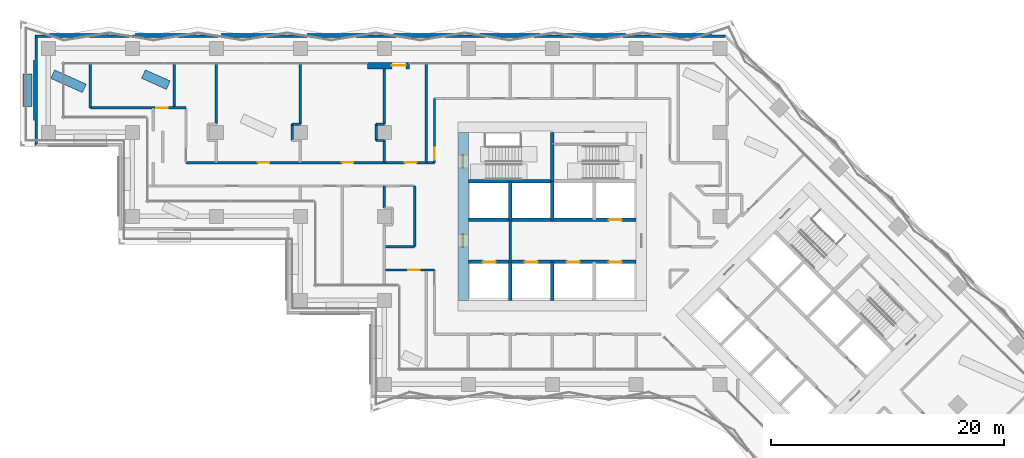
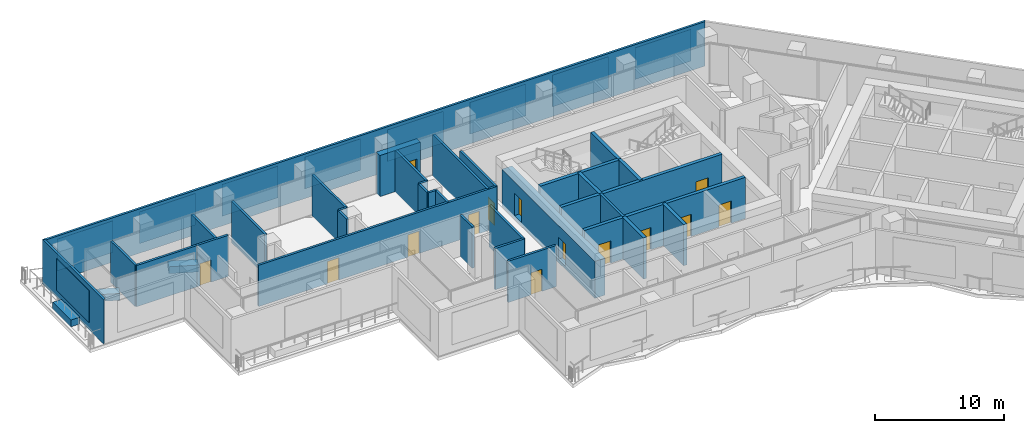
# One storey, part 14 of 24: 36 walls, 14 doors, 9 plates, 14 openings.
"""IFC4 building model written with IfcOpenShell, lengths in metres."""

from ifc_helpers import new_model, si_unit, direction, frame, frame_2d, origin, place, context, subcontext, project, spatial, polyline, rectangle, outline, extrude, material, layer, layer_set, type_object, element, fill, aggregate, save


model = new_model("IFC4")

# Units and contexts
model_context = context("Model", 3, precision=1e-05, world=origin(), true_north=direction((0.0, 1.0)))
body_context = subcontext(model_context, "Body", "Model", "MODEL_VIEW")
ifc_project = project(units=[si_unit("LENGTHUNIT", "METRE"), si_unit("AREAUNIT", "SQUARE_METRE"), si_unit("VOLUMEUNIT", "CUBIC_METRE"), si_unit("PLANEANGLEUNIT", "RADIAN"), si_unit("MASSUNIT", "GRAM", prefix="KILO")], contexts=[model_context])

# Plate
ifc_material_1 = material(Name="Aluminium louvre", Category="aluminium")
ifc_layer_1 = layer(ifc_material_1, 0.05)
ifc_layer_set_1 = layer_set([ifc_layer_1], Name="Belt louvre panel 5000x3000")
plate_type = type_object("IfcPlateType", Name="Belt louvre panel 5000x3000", PredefinedType="SHEET", material=ifc_layer_set_1)
site_placement = place(None, origin())
building_placement = place(site_placement, origin())
storey_placement = place(building_placement, frame((0.0, 0.0, 67.8)))
plate_1_placement = place(storey_placement, frame((78.4421, 73.2, 0.75), z_axis=(0.0, 1.0, 0.0), x_axis=(-1.0, 0.0, 0.0)))
plate_1 = element("IfcPlate", 1, at=plate_1_placement, type_object=plate_type, Name="Belt louvre panel L18 19.1", PredefinedType="SHEET", context=body_context, shape_type="SweptSolid", body=[
    extrude(outline(polyline([(0.0, 0.0), (5.0, 0.0), (5.0, 3.0), (0.0, 3.0), (0.0, 0.0)])), origin(), (0.0, 0.0, -1.0), 0.05),
])

plate_2_placement = place(storey_placement, frame((71.0565, 73.2, 0.75), z_axis=(0.0, 1.0, 0.0), x_axis=(-1.0, 0.0, 0.0)))
plate_2 = element("IfcPlate", 2, at=plate_2_placement, type_object=plate_type, Name="Belt louvre panel L18 20.2", PredefinedType="SHEET", context=body_context, shape_type="SweptSolid", body=[
    extrude(outline(polyline([(0.0, 0.0), (5.0, 0.0), (5.0, 3.0), (0.0, 3.0), (0.0, 0.0)])), origin(), (0.0, 0.0, -1.0), 0.05),
])

plate_3_placement = place(storey_placement, frame((63.6709, 73.2, 0.75), z_axis=(0.0, 1.0, 0.0), x_axis=(-1.0, 0.0, 0.0)))
plate_3 = element("IfcPlate", 3, at=plate_3_placement, type_object=plate_type, Name="Belt louvre panel L18 21.3", PredefinedType="SHEET", context=body_context, shape_type="SweptSolid", body=[
    extrude(outline(polyline([(0.0, 0.0), (5.0, 0.0), (5.0, 3.0), (0.0, 3.0), (0.0, 0.0)])), origin(), (0.0, 0.0, -1.0), 0.05),
])

plate_4_placement = place(storey_placement, frame((56.2852, 73.2, 0.75), z_axis=(0.0, 1.0, 0.0), x_axis=(-1.0, 0.0, 0.0)))
plate_4 = element("IfcPlate", 4, at=plate_4_placement, type_object=plate_type, Name="Belt louvre panel L18 22.4", PredefinedType="SHEET", context=body_context, shape_type="SweptSolid", body=[
    extrude(outline(polyline([(0.0, 0.0), (5.0, 0.0), (5.0, 3.0), (0.0, 3.0), (0.0, 0.0)])), origin(), (0.0, 0.0, -1.0), 0.05),
])

plate_5_placement = place(storey_placement, frame((48.8996, 73.2, 0.75), z_axis=(0.0, 1.0, 0.0), x_axis=(-1.0, 0.0, 0.0)))
plate_5 = element("IfcPlate", 5, at=plate_5_placement, type_object=plate_type, Name="Belt louvre panel L18 23.5", PredefinedType="SHEET", context=body_context, shape_type="SweptSolid", body=[
    extrude(outline(polyline([(0.0, 0.0), (5.0, 0.0), (5.0, 3.0), (0.0, 3.0), (0.0, 0.0)])), origin(), (0.0, 0.0, -1.0), 0.05),
])

plate_6_placement = place(storey_placement, frame((41.514, 73.2, 0.75), z_axis=(0.0, 1.0, 0.0), x_axis=(-1.0, 0.0, 0.0)))
plate_6 = element("IfcPlate", 6, at=plate_6_placement, type_object=plate_type, Name="Belt louvre panel L18 24.6", PredefinedType="SHEET", context=body_context, shape_type="SweptSolid", body=[
    extrude(outline(polyline([(0.0, 0.0), (5.0, 0.0), (5.0, 3.0), (0.0, 3.0), (0.0, 0.0)])), origin(), (0.0, 0.0, -1.0), 0.05),
])

plate_7_placement = place(storey_placement, frame((34.1284, 73.2, 0.75), z_axis=(0.0, 1.0, 0.0), x_axis=(-1.0, 0.0, 0.0)))
plate_7 = element("IfcPlate", 7, at=plate_7_placement, type_object=plate_type, Name="Belt louvre panel L18 25.7", PredefinedType="SHEET", context=body_context, shape_type="SweptSolid", body=[
    extrude(outline(polyline([(0.0, 0.0), (5.0, 0.0), (5.0, 3.0), (0.0, 3.0), (0.0, 0.0)])), origin(), (0.0, 0.0, -1.0), 0.05),
])

plate_8_placement = place(storey_placement, frame((26.7428, 73.2, 0.75), z_axis=(0.0, 1.0, 0.0), x_axis=(-1.0, 0.0, 0.0)))
plate_8 = element("IfcPlate", 8, at=plate_8_placement, type_object=plate_type, Name="Belt louvre panel L18 26.8", PredefinedType="SHEET", context=body_context, shape_type="SweptSolid", body=[
    extrude(outline(polyline([(0.0, 0.0), (5.0, 0.0), (5.0, 3.0), (0.0, 3.0), (0.0, 0.0)])), origin(), (0.0, 0.0, -1.0), 0.05),
])

plate_9_placement = place(storey_placement, frame((20.4, 70.9, 0.75), z_axis=(-1.0, 0.0, 0.0), x_axis=(0.0, -1.0, 0.0)))
plate_9 = element("IfcPlate", 9, at=plate_9_placement, type_object=plate_type, Name="Belt louvre panel L18 37.1", PredefinedType="SHEET", context=body_context, shape_type="SweptSolid", body=[
    extrude(outline(polyline([(0.0, 0.0), (5.0, 0.0), (5.0, 3.0), (0.0, 3.0), (0.0, 0.0)])), origin(), (0.0, 0.0, -1.0), 0.05),
])

# Site, building, storey
site = spatial("IfcSite", under=ifc_project, at=site_placement, CompositionType="ELEMENT")
building = spatial("IfcBuilding", under=site, at=building_placement, Name="Windrow Commons", CompositionType="ELEMENT")
storey = spatial("IfcBuildingStorey", under=building, at=storey_placement, Name="L18", CompositionType="ELEMENT", Elevation=67.8)

# Wall
ifc_material_2 = material(Name="Concrete C40/50 precast screen panel", Category="concrete")
ifc_layer_2 = layer(ifc_material_2, 0.2)
ifc_layer_set_2 = layer_set([ifc_layer_2], Name="Belt screen wall 200")
wall_type_1 = type_object("IfcWallType", Name="Belt screen wall 200", PredefinedType="SOLIDWALL", material=ifc_layer_set_2)
wall_1_placement = place(storey_placement, frame((79.6349, 73.05, 0.0), z_axis=(0.0, 0.0, 1.0), x_axis=(-1.0, 0.0, 0.0)))
wall_1 = element("IfcWall", 10, at=wall_1_placement, inside=storey, type_object=wall_type_1, Name="Belt screen wall L18 19", PredefinedType="SOLIDWALL", context=body_context, shape_type="SweptSolid", body=[
    extrude(outline(polyline([(-0.0414, -0.1), (59.1849, -0.1), (58.9849, 0.1), (0.0414, 0.1), (-0.0414, -0.1)])), origin(), (0.0, 0.0, 1.0), 4.2),
])

aggregate(wall_1, [plate_1, plate_2, plate_3, plate_4, plate_5, plate_6, plate_7, plate_8])

wall_2_placement = place(storey_placement, frame((20.55, 73.05, 0.0), z_axis=(0.0, 0.0, 1.0), x_axis=(0.0, -1.0, 0.0)))
wall_2 = element("IfcWall", 11, at=wall_2_placement, inside=storey, type_object=wall_type_1, Name="Belt screen wall L18 37", PredefinedType="SOLIDWALL", context=body_context, shape_type="SweptSolid", body=[
    extrude(outline(polyline([(-0.1, -0.1), (9.4, -0.1), (9.2, 0.1), (0.1, 0.1), (-0.1, -0.1)])), origin(), (0.0, 0.0, 1.0), 4.2),
])

aggregate(wall_2, [plate_9])

# Wall, opening, door
ifc_material_3 = material(Name="Brick masonry, red clay brick", Category="masonry")
ifc_layer_3 = layer(ifc_material_3, 0.55)
ifc_layer_set_3 = layer_set([ifc_layer_3], Name="Brick facade wall 550")
wall_type_2 = type_object("IfcWallType", Name="Brick facade wall 550", PredefinedType="SOLIDWALL", material=ifc_layer_set_3)
wall_3_placement = place(storey_placement, frame((52.5519, 70.525, 0.0), z_axis=(0.0, 0.0, 1.0), x_axis=(-1.0, 0.0, 0.0)))
wall_3 = element("IfcWall", 12, at=wall_3_placement, inside=storey, type_object=wall_type_2, Name="Brick facade wall L18 door pier 4", PredefinedType="SOLIDWALL", context=body_context, shape_type="SweptSolid", body=[
    extrude(rectangle(XDim=3.6, YDim=0.55, at=frame_2d((1.8, 0.0))), origin(), (0.0, 0.0, 1.0), 3.9),
])
opening_1_placement = place(wall_3_placement, frame((0.3, 0.0, 0.0)))
opening_1 = element("IfcOpeningElement", 13, at=opening_1_placement, cuts=wall_3, Name="Opening TD7", PredefinedType="OPENING", context=body_context, shape_type="SweptSolid", body=[
    extrude(rectangle(XDim=1.2, YDim=2.4, at=frame_2d((0.6, 1.2))), frame((0.0, 0.285, 0.0), z_axis=(0.0, -1.0, 0.0), x_axis=(1.0, 0.0, 0.0)), (0.0, 0.0, 1.0), 0.57),
])
ifc_material_4 = material(Name="Aluminium 6063-T6 anodised frame with clear glass", Category="aluminium")
door_type_1 = type_object("IfcDoorType", Name="Terrace door TD7 1200x2400", OperationType="SINGLE_SWING_LEFT", PredefinedType="DOOR", material=ifc_material_4)
door_1_placement = place(opening_1_placement, origin())
door_1 = element("IfcDoor", 14, at=door_1_placement, inside=storey, type_object=door_type_1, Name="Terrace door L18 4.1", OperationType="SINGLE_SWING_LEFT", OverallHeight=2.4, OverallWidth=1.2, PredefinedType="DOOR", context=body_context, shape_type="SweptSolid", body=[
    extrude(rectangle(XDim=1.2, YDim=2.4, at=frame_2d((0.6, 1.2))), frame((0.0, 0.025, 0.0), z_axis=(0.0, -1.0, 0.0), x_axis=(1.0, 0.0, 0.0)), (0.0, 0.0, 1.0), 0.05),
])
fill(opening_1, door_1)

# Wall
ifc_material_5 = material(Name="Blockwork partition", Category="masonry")
ifc_layer_4 = layer(ifc_material_5, 0.2)
ifc_layer_set_4 = layer_set([ifc_layer_4], Name="Fire lobby partition 200")
wall_type_3 = type_object("IfcWallType", Name="Fire lobby partition 200", PredefinedType="PARTITIONING", material=ifc_layer_set_4)
wall_4_placement = place(storey_placement, frame((61.2, 53.7, 0.0), z_axis=(0.0, 0.0, 1.0), x_axis=(0.0, 1.0, 0.0)))
element("IfcWall", 15, at=wall_4_placement, inside=storey, type_object=wall_type_3, Name="W-core-lobby-A-L18", PredefinedType="PARTITIONING", context=body_context, shape_type="SweptSolid", body=[
    extrude(rectangle(XDim=3.6, YDim=0.2, at=frame_2d((1.8, 0.0))), origin(), (0.0, 0.0, 1.0), 3.9),
])

# Wall, openings, doors
ifc_material_6 = material(Name="Blockwork partition", Category="masonry")
ifc_layer_5 = layer(ifc_material_6, 0.2)
ifc_layer_set_5 = layer_set([ifc_layer_5], Name="IW-CORRIDOR-200")
wall_type_4 = type_object("IfcWallType", Name="IW-CORRIDOR-200", PredefinedType="PARTITIONING", material=ifc_layer_set_5)
wall_5_placement = place(storey_placement, frame((33.4, 62.2, 0.0), z_axis=(0.0, 0.0, 1.0), x_axis=(1.0, 0.0, 0.0)))
wall_5 = element("IfcWall", 16, at=wall_5_placement, inside=storey, type_object=wall_type_4, Name="W-L18-W001", PredefinedType="PARTITIONING", context=body_context, shape_type="SweptSolid", body=[
    extrude(rectangle(XDim=21.3, YDim=0.2, at=frame_2d((10.65, 0.0))), origin(), (0.0, 0.0, 1.0), 3.9),
])
opening_2_placement = place(wall_5_placement, frame((6.1575, 0.0, 0.0)))
opening_2 = element("IfcOpeningElement", 17, at=opening_2_placement, cuts=wall_5, Name="Opening D310F", PredefinedType="OPENING", context=body_context, shape_type="SweptSolid", body=[
    extrude(rectangle(XDim=1.0, YDim=2.1, at=frame_2d((0.5, 1.05))), frame((0.0, 0.11, 0.0), z_axis=(0.0, -1.0, 0.0), x_axis=(1.0, 0.0, 0.0)), (0.0, 0.0, 1.0), 0.22),
])
opening_3_placement = place(wall_5_placement, frame((13.3575, 0.0, 0.0)))
opening_3 = element("IfcOpeningElement", 18, at=opening_3_placement, cuts=wall_5, Name="Opening D310F", PredefinedType="OPENING", context=body_context, shape_type="SweptSolid", body=[
    extrude(rectangle(XDim=1.0, YDim=2.1, at=frame_2d((0.5, 1.05))), frame((0.0, 0.11, 0.0), z_axis=(0.0, -1.0, 0.0), x_axis=(1.0, 0.0, 0.0)), (0.0, 0.0, 1.0), 0.22),
])
opening_4_placement = place(wall_5_placement, frame((18.765, 0.0, 0.0)))
opening_4 = element("IfcOpeningElement", 19, at=opening_4_placement, cuts=wall_5, Name="Opening D310F", PredefinedType="OPENING", context=body_context, shape_type="SweptSolid", body=[
    extrude(rectangle(XDim=1.0, YDim=2.1, at=frame_2d((0.5, 1.05))), frame((0.0, 0.11, 0.0), z_axis=(0.0, -1.0, 0.0), x_axis=(1.0, 0.0, 0.0)), (0.0, 0.0, 1.0), 0.22),
])
ifc_material_7 = material(Name="Timber door leaf", Category="wood")
door_type_2 = type_object("IfcDoorType", Name="DT-AMENITY-1000", OperationType="SINGLE_SWING_LEFT", PredefinedType="DOOR", material=ifc_material_7)
door_2_placement = place(opening_2_placement, origin())
door_2 = element("IfcDoor", 20, at=door_2_placement, inside=storey, type_object=door_type_2, Name="D-L18-D014", OperationType="SINGLE_SWING_RIGHT", OverallHeight=2.1, OverallWidth=1.0, PredefinedType="DOOR", context=body_context, shape_type="SweptSolid", body=[
    extrude(rectangle(XDim=1.0, YDim=2.1, at=frame_2d((0.5, 1.05))), frame((0.0, 0.025, 0.0), z_axis=(0.0, -1.0, 0.0), x_axis=(1.0, 0.0, 0.0)), (0.0, 0.0, 1.0), 0.05),
])
fill(opening_2, door_2)
door_3_placement = place(opening_3_placement, origin())
door_3 = element("IfcDoor", 21, at=door_3_placement, inside=storey, type_object=door_type_2, Name="D-L18-D015", OperationType="SINGLE_SWING_RIGHT", OverallHeight=2.1, OverallWidth=1.0, PredefinedType="DOOR", context=body_context, shape_type="SweptSolid", body=[
    extrude(rectangle(XDim=1.0, YDim=2.1, at=frame_2d((0.5, 1.05))), frame((0.0, 0.025, 0.0), z_axis=(0.0, -1.0, 0.0), x_axis=(1.0, 0.0, 0.0)), (0.0, 0.0, 1.0), 0.05),
])
fill(opening_3, door_3)
door_4_placement = place(opening_4_placement, origin())
door_4 = element("IfcDoor", 22, at=door_4_placement, inside=storey, type_object=door_type_2, Name="D-L18-D016", OperationType="SINGLE_SWING_RIGHT", OverallHeight=2.1, OverallWidth=1.0, PredefinedType="DOOR", context=body_context, shape_type="SweptSolid", body=[
    extrude(rectangle(XDim=1.0, YDim=2.1, at=frame_2d((0.5, 1.05))), frame((0.0, 0.025, 0.0), z_axis=(0.0, -1.0, 0.0), x_axis=(1.0, 0.0, 0.0)), (0.0, 0.0, 1.0), 0.05),
])
fill(opening_4, door_4)

# Wall, opening, door
wall_6_placement = place(storey_placement, frame((54.7, 62.202, 0.0), z_axis=(0.0, 0.0, 1.0), x_axis=(0.0, 1.0, 0.0)))
wall_6 = element("IfcWall", 23, at=wall_6_placement, inside=storey, type_object=wall_type_4, Name="W-L18-W018", PredefinedType="PARTITIONING", context=body_context, shape_type="SweptSolid", body=[
    extrude(rectangle(XDim=5.498, YDim=0.2, at=frame_2d((2.749, 0.0))), origin(), (0.0, 0.0, 1.0), 3.9),
])
opening_5_placement = place(wall_6_placement, frame((0.2648, 0.0, 0.0)))
opening_5 = element("IfcOpeningElement", 24, at=opening_5_placement, cuts=wall_6, Name="Opening D310F", PredefinedType="OPENING", context=body_context, shape_type="SweptSolid", body=[
    extrude(rectangle(XDim=1.0, YDim=2.1, at=frame_2d((0.5, 1.05))), frame((0.0, 0.11, 0.0), z_axis=(0.0, -1.0, 0.0), x_axis=(1.0, 0.0, 0.0)), (0.0, 0.0, 1.0), 0.22),
])
door_5_placement = place(opening_5_placement, origin())
door_5 = element("IfcDoor", 25, at=door_5_placement, inside=storey, type_object=door_type_2, Name="D-L18-D017", OperationType="SINGLE_SWING_LEFT", OverallHeight=2.1, OverallWidth=1.0, PredefinedType="DOOR", context=body_context, shape_type="SweptSolid", body=[
    extrude(rectangle(XDim=1.0, YDim=2.1, at=frame_2d((0.5, 1.05))), frame((0.0, 0.025, 0.0), z_axis=(0.0, -1.0, 0.0), x_axis=(1.0, 0.0, 0.0)), (0.0, 0.0, 1.0), 0.05),
])
fill(opening_5, door_5)

# Wall
wall_7_placement = place(storey_placement, frame((53.0, 55.002, 0.0), z_axis=(0.0, 0.0, 1.0), x_axis=(0.0, 1.0, 0.0)))
element("IfcWall", 26, at=wall_7_placement, inside=storey, type_object=wall_type_4, Name="W-L18-W021", PredefinedType="PARTITIONING", context=body_context, shape_type="SweptSolid", body=[
    extrude(rectangle(XDim=5.198, YDim=0.2, at=frame_2d((2.599, 0.0))), origin(), (0.0, 0.0, 1.0), 3.9),
])

# Wall, opening, door
wall_8_placement = place(storey_placement, frame((50.4, 53.0, 0.0), z_axis=(0.0, 0.0, 1.0), x_axis=(1.0, 0.0, 0.0)))
wall_8 = element("IfcWall", 27, at=wall_8_placement, inside=storey, type_object=wall_type_4, Name="W-L18-W029", PredefinedType="PARTITIONING", context=body_context, shape_type="SweptSolid", body=[
    extrude(rectangle(XDim=4.3, YDim=0.2, at=frame_2d((2.15, 0.0))), origin(), (0.0, 0.0, 1.0), 3.9),
])
opening_6_placement = place(wall_8_placement, frame((2.0325, 0.0, 0.0)))
opening_6 = element("IfcOpeningElement", 28, at=opening_6_placement, cuts=wall_8, Name="Opening D310F", PredefinedType="OPENING", context=body_context, shape_type="SweptSolid", body=[
    extrude(rectangle(XDim=1.0, YDim=2.1, at=frame_2d((0.5, 1.05))), frame((0.0, 0.11, 0.0), z_axis=(0.0, -1.0, 0.0), x_axis=(1.0, 0.0, 0.0)), (0.0, 0.0, 1.0), 0.22),
])
door_6_placement = place(opening_6_placement, origin())
door_6 = element("IfcDoor", 29, at=door_6_placement, inside=storey, type_object=door_type_2, Name="D-L18-D004", OperationType="SINGLE_SWING_LEFT", OverallHeight=2.1, OverallWidth=1.0, PredefinedType="DOOR", context=body_context, shape_type="SweptSolid", body=[
    extrude(rectangle(XDim=1.0, YDim=2.1, at=frame_2d((0.5, 1.05))), frame((0.0, 0.025, 0.0), z_axis=(0.0, -1.0, 0.0), x_axis=(1.0, 0.0, 0.0)), (0.0, 0.0, 1.0), 0.05),
])
fill(opening_6, door_6)

wall_9_placement = place(storey_placement, frame((30.6, 66.9, 0.0), z_axis=(0.0, 0.0, 1.0), x_axis=(1.0, 0.0, 0.0)))
wall_9 = element("IfcWall", 30, at=wall_9_placement, inside=storey, type_object=wall_type_4, Name="W-L18-W050", PredefinedType="PARTITIONING", context=body_context, shape_type="SweptSolid", body=[
    extrude(rectangle(XDim=2.8, YDim=0.2, at=frame_2d((1.4, 0.0))), origin(), (0.0, 0.0, 1.0), 3.9),
])
opening_7_placement = place(wall_9_placement, frame((0.24, 0.0, 0.0)))
opening_7 = element("IfcOpeningElement", 31, at=opening_7_placement, cuts=wall_9, Name="Opening D310F", PredefinedType="OPENING", context=body_context, shape_type="SweptSolid", body=[
    extrude(rectangle(XDim=1.0, YDim=2.1, at=frame_2d((0.5, 1.05))), frame((0.0, 0.11, 0.0), z_axis=(0.0, -1.0, 0.0), x_axis=(1.0, 0.0, 0.0)), (0.0, 0.0, 1.0), 0.22),
])
door_7_placement = place(opening_7_placement, origin())
door_7 = element("IfcDoor", 32, at=door_7_placement, inside=storey, type_object=door_type_2, Name="D-L18-D012", OperationType="SINGLE_SWING_LEFT", OverallHeight=2.1, OverallWidth=1.0, PredefinedType="DOOR", context=body_context, shape_type="SweptSolid", body=[
    extrude(rectangle(XDim=1.0, YDim=2.1, at=frame_2d((0.5, 1.05))), frame((0.0, 0.025, 0.0), z_axis=(0.0, -1.0, 0.0), x_axis=(1.0, 0.0, 0.0)), (0.0, 0.0, 1.0), 0.05),
])
fill(opening_7, door_7)

# Walls
wall_10_placement = place(storey_placement, frame((50.4, 55.0, 0.0), z_axis=(0.0, 0.0, 1.0), x_axis=(1.0, 0.0, 0.0)))
element("IfcWall", 33, at=wall_10_placement, inside=storey, type_object=wall_type_4, Name="W-L18-W052", PredefinedType="PARTITIONING", context=body_context, shape_type="SweptSolid", body=[
    extrude(rectangle(XDim=2.6, YDim=0.2, at=frame_2d((1.3, 0.0))), origin(), (0.0, 0.0, 1.0), 3.9),
])
ifc_material_8 = material(Name="Blockwork partition", Category="masonry")
ifc_layer_6 = layer(ifc_material_8, 0.2)
ifc_layer_set_6 = layer_set([ifc_layer_6], Name="IW-PARTY-200")
wall_type_5 = type_object("IfcWallType", Name="IW-PARTY-200", PredefinedType="PARTITIONING", material=ifc_layer_set_6)
wall_11_placement = place(storey_placement, frame((54.0, 62.2, 0.0), z_axis=(0.0, 0.0, 1.0), x_axis=(0.0, 1.0, 0.0)))
element("IfcWall", 34, at=wall_11_placement, inside=storey, type_object=wall_type_5, Name="W-L18-W009", PredefinedType="PARTITIONING", context=body_context, shape_type="SweptSolid", body=[
    extrude(rectangle(XDim=8.47, YDim=0.2, at=frame_2d((4.235, 0.0))), origin(), (0.0, 0.0, 1.0), 3.9),
])
wall_12_placement = place(storey_placement, frame((25.2, 66.9, 0.0), z_axis=(0.0, 0.0, 1.0), x_axis=(1.0, 0.0, 0.0)))
element("IfcWall", 35, at=wall_12_placement, inside=storey, type_object=wall_type_5, Name="W-L18-W019", PredefinedType="PARTITIONING", context=body_context, shape_type="SweptSolid", body=[
    extrude(rectangle(XDim=5.4, YDim=0.2, at=frame_2d((2.7, 0.0))), origin(), (0.0, 0.0, 1.0), 3.9),
])
for number, where, z_axis, x_axis, name in (
    (36, (36.0, 65.504, 0.0), (0.0, 0.0, 1.0), (0.0, 1.0, 0.0), "W-L18-W022"),
    (37, (43.2, 65.504, 0.0), (0.0, 0.0, 1.0), (0.0, 1.0, 0.0), "W-L18-W023"),
):
    element("IfcWall", number, at=place(storey_placement, frame(where, z_axis=z_axis, x_axis=x_axis)), inside=storey, type_object=wall_type_5, Name=name, PredefinedType="PARTITIONING", context=body_context, shape_type="SweptSolid", body=[
        extrude(rectangle(XDim=5.166, YDim=0.2, at=frame_2d((2.583, 0.0))), origin(), (0.0, 0.0, 1.0), 3.9),
    ])
wall_13_placement = place(storey_placement, frame((50.4, 65.504, 0.0), z_axis=(0.0, 0.0, 1.0), x_axis=(0.0, 1.0, 0.0)))
element("IfcWall", 38, at=wall_13_placement, inside=storey, type_object=wall_type_5, Name="W-L18-W024", PredefinedType="PARTITIONING", context=body_context, shape_type="SweptSolid", body=[
    extrude(rectangle(XDim=4.746, YDim=0.2, at=frame_2d((2.373, 0.0))), origin(), (0.0, 0.0, 1.0), 3.9),
])
for number, where, z_axis, x_axis, name in (
    (39, (25.2, 66.9, 0.0), (0.0, 0.0, 1.0), (0.0, 1.0, 0.0), "W-L18-W034"),
    (40, (32.4, 66.9, 0.0), (0.0, 0.0, 1.0), (0.0, 1.0, 0.0), "W-L18-W035"),
):
    element("IfcWall", number, at=place(storey_placement, frame(where, z_axis=z_axis, x_axis=x_axis)), inside=storey, type_object=wall_type_5, Name=name, PredefinedType="PARTITIONING", context=body_context, shape_type="SweptSolid", body=[
        extrude(rectangle(XDim=3.77, YDim=0.2, at=frame_2d((1.885, 0.0))), origin(), (0.0, 0.0, 1.0), 3.9),
    ])
wall_14_placement = place(storey_placement, frame((50.4, 62.2, 0.0), z_axis=(0.0, 0.0, 1.0), x_axis=(0.0, 1.0, 0.0)))
element("IfcWall", 41, at=wall_14_placement, inside=storey, type_object=wall_type_5, Name="W-L18-W063", PredefinedType="PARTITIONING", context=body_context, shape_type="SweptSolid", body=[
    extrude(rectangle(XDim=1.896, YDim=0.2, at=frame_2d((0.948, 0.0))), origin(), (0.0, 0.0, 1.0), 3.9),
])
wall_15_placement = place(storey_placement, frame((50.4, 58.306, 0.0), z_axis=(0.0, 0.0, 1.0), x_axis=(0.0, 1.0, 0.0)))
element("IfcWall", 42, at=wall_15_placement, inside=storey, type_object=wall_type_5, Name="W-L18-W064", PredefinedType="PARTITIONING", context=body_context, shape_type="SweptSolid", body=[
    extrude(rectangle(XDim=1.894, YDim=0.2, at=frame_2d((0.947, 0.0))), origin(), (0.0, 0.0, 1.0), 3.9),
])
for number, where, z_axis, x_axis, name in (
    (43, (42.5, 64.096, 0.0), (0.0, 0.0, 1.0), (0.0, 1.0, 0.0), "W-L18-W078"),
    (44, (49.7, 64.096, 0.0), (0.0, 0.0, 1.0), (0.0, 1.0, 0.0), "W-L18-W079"),
):
    element("IfcWall", number, at=place(storey_placement, frame(where, z_axis=z_axis, x_axis=x_axis)), inside=storey, type_object=wall_type_5, Name=name, PredefinedType="PARTITIONING", context=body_context, shape_type="SweptSolid", body=[
        extrude(rectangle(XDim=1.408, YDim=0.2, at=frame_2d((0.704, 0.0))), origin(), (0.0, 0.0, 1.0), 3.9),
    ])
for number, where, z_axis, x_axis, name in (
    (45, (42.5, 65.5, 0.0), (0.0, 0.0, 1.0), (1.0, 0.0, 0.0), "W-L18-W089"),
    (46, (49.7, 65.5, 0.0), (0.0, 0.0, 1.0), (1.0, 0.0, 0.0), "W-L18-W094"),
    (47, (49.7, 64.1, 0.0), (0.0, 0.0, 1.0), (1.0, 0.0, 0.0), "W-L18-W095"),
):
    element("IfcWall", number, at=place(storey_placement, frame(where, z_axis=z_axis, x_axis=x_axis)), inside=storey, type_object=wall_type_5, Name=name, PredefinedType="PARTITIONING", context=body_context, shape_type="SweptSolid", body=[
        extrude(rectangle(XDim=0.7, YDim=0.2, at=frame_2d((0.35, 0.0))), origin(), (0.0, 0.0, 1.0), 3.9),
    ])
ifc_material_9 = material(Name="Concrete C30/37 planter wall", Category="concrete")
ifc_layer_7 = layer(ifc_material_9, 0.8)
ifc_layer_set_7 = layer_set([ifc_layer_7], Name="Planter 800x600")
wall_type_6 = type_object("IfcWallType", Name="Planter 800x600", PredefinedType="SOLIDWALL", material=ifc_layer_set_7)
wall_16_placement = place(storey_placement, frame((19.817, 69.8, 0.0), z_axis=(0.0, 0.0, 1.0), x_axis=(0.0, -1.0, 0.0)))
element("IfcWall", 48, at=wall_16_placement, inside=storey, type_object=wall_type_6, Name="PLANTER TR-L18-1.35", PredefinedType="SOLIDWALL", context=body_context, shape_type="SweptSolid", body=[
    extrude(rectangle(XDim=2.8, YDim=0.8, at=frame_2d((1.4, 0.0))), origin(), (0.0, 0.0, 1.0), 0.65),
])
wall_17_placement = place(storey_placement, frame((31.88, 68.8433, 0.0), z_axis=(0.0, 0.0, 1.0), x_axis=(-0.9121090242, 0.4099477137, 0.0)))
element("IfcWall", 49, at=wall_17_placement, inside=storey, type_object=wall_type_6, Name="PLANTER TR-L18-1 bed 12", PredefinedType="SOLIDWALL", context=body_context, shape_type="SweptSolid", body=[
    extrude(rectangle(XDim=2.3337, YDim=0.8, at=frame_2d((1.1668, 0.0))), origin(), (0.0, 0.0, 1.0), 0.65),
])
wall_18_placement = place(storey_placement, frame((24.68, 68.571, 0.0), z_axis=(0.0, 0.0, 1.0), x_axis=(-0.9121110429, 0.4099432222, 0.0)))
element("IfcWall", 50, at=wall_18_placement, inside=storey, type_object=wall_type_6, Name="PLANTER TR-L18-1 bed 18", PredefinedType="SOLIDWALL", context=body_context, shape_type="SweptSolid", body=[
    extrude(outline(polyline([(0.0, -0.4), (2.9699, -0.4), (2.9699, 0.4), (0.0, 0.4), (0.0, -0.4)])), origin(), (0.0, 0.0, 1.0), 0.65),
])

# Wall, openings, doors
ifc_material_10 = material(Name="Concrete C60/75", Category="concrete")
ifc_layer_8 = layer(ifc_material_10, 0.9)
ifc_layer_set_8 = layer_set([ifc_layer_8], Name="RC CORE WALL 900 C60/75")
wall_type_7 = type_object("IfcWallType", Name="RC CORE WALL 900 C60/75", PredefinedType="SHEAR", material=ifc_layer_set_8)
wall_19_placement = place(storey_placement, frame((57.15, 50.4, -0.3), z_axis=(0.0, 0.0, 1.0), x_axis=(0.0, 1.0, 0.0)))
wall_19 = element("IfcWall", 51, at=wall_19_placement, inside=storey, type_object=wall_type_7, Name="Core A wall outer-W", PredefinedType="SHEAR", context=body_context, shape_type="SweptSolid", body=[
    extrude(rectangle(XDim=14.4, YDim=0.9, at=frame_2d((7.2, 0.0))), origin(), (0.0, 0.0, 1.0), 3.5),
])
opening_8_placement = place(wall_19_placement, frame((4.55, 0.0, 0.3)))
opening_8 = element("IfcOpeningElement", 52, at=opening_8_placement, cuts=wall_19, Name="Opening D6", PredefinedType="OPENING", context=body_context, shape_type="SweptSolid", body=[
    extrude(rectangle(XDim=1.1, YDim=2.1, at=frame_2d((0.55, 1.05))), frame((0.0, 0.46, 0.0), z_axis=(0.0, -1.0, 0.0), x_axis=(1.0, 0.0, 0.0)), (0.0, 0.0, 1.0), 0.92),
])
opening_9_placement = place(wall_19_placement, frame((11.35, 0.0, 0.3)))
opening_9 = element("IfcOpeningElement", 53, at=opening_9_placement, cuts=wall_19, Name="Opening D7", PredefinedType="OPENING", context=body_context, shape_type="SweptSolid", body=[
    extrude(rectangle(XDim=1.1, YDim=2.1, at=frame_2d((0.55, 1.05))), frame((0.0, 0.46, 0.0), z_axis=(0.0, -1.0, 0.0), x_axis=(1.0, 0.0, 0.0)), (0.0, 0.0, 1.0), 0.92),
])
ifc_material_11 = material(Name="Steel fire door leaf", Category="steel")
door_type_3 = type_object("IfcDoorType", Name="Core lobby door 1100", OperationType="SINGLE_SWING_LEFT", PredefinedType="DOOR", material=ifc_material_11)
door_8_placement = place(opening_8_placement, origin())
door_8 = element("IfcDoor", 54, at=door_8_placement, inside=storey, type_object=door_type_3, Name="Lift lobby door", OperationType="DOUBLE_DOOR_SINGLE_SWING", OverallHeight=2.1, OverallWidth=1.1, PredefinedType="DOOR", context=body_context, shape_type="SweptSolid", body=[
    extrude(rectangle(XDim=1.1, YDim=2.1, at=frame_2d((0.55, 1.05))), frame((0.0, 0.025, 0.0), z_axis=(0.0, -1.0, 0.0), x_axis=(1.0, 0.0, 0.0)), (0.0, 0.0, 1.0), 0.05),
])
fill(opening_8, door_8)
ifc_material_12 = material(Name="Steel fire door leaf", Category="steel")
door_type_4 = type_object("IfcDoorType", Name="Stair door 1100", OperationType="SINGLE_SWING_LEFT", PredefinedType="DOOR", material=ifc_material_12)
door_9_placement = place(opening_9_placement, origin())
door_9 = element("IfcDoor", 55, at=door_9_placement, inside=storey, type_object=door_type_4, Name="Stair door", OperationType="SINGLE_SWING_LEFT", OverallHeight=2.1, OverallWidth=1.1, PredefinedType="DOOR", context=body_context, shape_type="SweptSolid", body=[
    extrude(rectangle(XDim=1.1, YDim=2.1, at=frame_2d((0.55, 1.05))), frame((0.0, 0.025, 0.0), z_axis=(0.0, -1.0, 0.0), x_axis=(1.0, 0.0, 0.0)), (0.0, 0.0, 1.0), 0.05),
])
fill(opening_9, door_9)

# Walls
ifc_material_13 = material(Name="Concrete C60/75", Category="concrete")
ifc_layer_9 = layer(ifc_material_13, 0.3)
ifc_layer_set_9 = layer_set([ifc_layer_9], Name="RC SHAFT WALL 300 C60/75")
wall_type_8 = type_object("IfcWallType", Name="RC SHAFT WALL 300 C60/75", PredefinedType="SOLIDWALL", material=ifc_layer_set_9)
for number, where, z_axis, x_axis, name in (
    (56, (61.2, 50.4, 0.0), (0.0, 0.0, 1.0), (0.0, 1.0, 0.0), "Core A wall shaft-S1"),
    (57, (61.2, 57.3, 0.0), (0.0, 0.0, 1.0), (0.0, 1.0, 0.0), "Core A wall shaft-N1"),
    (58, (64.8, 50.4, 0.0), (0.0, 0.0, 1.0), (0.0, 1.0, 0.0), "Core A wall shaft-S2"),
    (59, (64.8, 57.3, 0.0), (0.0, 0.0, 1.0), (0.0, 1.0, 0.0), "Core A wall shaft-N2"),
):
    element("IfcWall", number, at=place(storey_placement, frame(where, z_axis=z_axis, x_axis=x_axis)), inside=storey, type_object=wall_type_8, Name=name, PredefinedType="SOLIDWALL", context=body_context, shape_type="SweptSolid", body=[
        extrude(rectangle(XDim=3.3, YDim=0.3, at=frame_2d((1.65, 0.0))), origin(), (0.0, 0.0, 1.0), 3.9),
    ])

# Wall, openings, doors
wall_20_placement = place(storey_placement, frame((57.6, 53.7, 0.0), z_axis=(0.0, 0.0, 1.0), x_axis=(1.0, 0.0, 0.0)))
wall_20 = element("IfcWall", 60, at=wall_20_placement, inside=storey, type_object=wall_type_8, Name="Core A wall lobby-S", PredefinedType="SOLIDWALL", context=body_context, shape_type="SweptSolid", body=[
    extrude(rectangle(XDim=14.4, YDim=0.3, at=frame_2d((7.2, 0.0))), origin(), (0.0, 0.0, 1.0), 3.9),
])
opening_10_placement = place(wall_20_placement, frame((1.25, 0.0, 0.0)))
opening_10 = element("IfcOpeningElement", 61, at=opening_10_placement, cuts=wall_20, Name="Opening LD", PredefinedType="OPENING", context=body_context, shape_type="SweptSolid", body=[
    extrude(rectangle(XDim=1.1, YDim=2.1, at=frame_2d((0.55, 1.05))), frame((0.0, 0.16, 0.0), z_axis=(0.0, -1.0, 0.0), x_axis=(1.0, 0.0, 0.0)), (0.0, 0.0, 1.0), 0.32),
])
opening_11_placement = place(wall_20_placement, frame((4.85, 0.0, 0.0)))
opening_11 = element("IfcOpeningElement", 62, at=opening_11_placement, cuts=wall_20, Name="Opening LD", PredefinedType="OPENING", context=body_context, shape_type="SweptSolid", body=[
    extrude(rectangle(XDim=1.1, YDim=2.1, at=frame_2d((0.55, 1.05))), frame((0.0, 0.16, 0.0), z_axis=(0.0, -1.0, 0.0), x_axis=(1.0, 0.0, 0.0)), (0.0, 0.0, 1.0), 0.32),
])
opening_12_placement = place(wall_20_placement, frame((8.45, 0.0, 0.0)))
opening_12 = element("IfcOpeningElement", 63, at=opening_12_placement, cuts=wall_20, Name="Opening LD", PredefinedType="OPENING", context=body_context, shape_type="SweptSolid", body=[
    extrude(rectangle(XDim=1.1, YDim=2.1, at=frame_2d((0.55, 1.05))), frame((0.0, 0.16, 0.0), z_axis=(0.0, -1.0, 0.0), x_axis=(1.0, 0.0, 0.0)), (0.0, 0.0, 1.0), 0.32),
])
opening_13_placement = place(wall_20_placement, frame((12.05, 0.0, 0.0)))
opening_13 = element("IfcOpeningElement", 64, at=opening_13_placement, cuts=wall_20, Name="Opening LD", PredefinedType="OPENING", context=body_context, shape_type="SweptSolid", body=[
    extrude(rectangle(XDim=1.1, YDim=2.1, at=frame_2d((0.55, 1.05))), frame((0.0, 0.16, 0.0), z_axis=(0.0, -1.0, 0.0), x_axis=(1.0, 0.0, 0.0)), (0.0, 0.0, 1.0), 0.32),
])
ifc_material_14 = material(Name="Stainless steel door leaf", Category="steel")
door_type_5 = type_object("IfcDoorType", Name="Lift landing door 1100", OperationType="SLIDING_TO_LEFT", PredefinedType="DOOR", material=ifc_material_14)
door_10_placement = place(opening_10_placement, origin())
door_10 = element("IfcDoor", 65, at=door_10_placement, inside=storey, type_object=door_type_5, Name="Lift landing door", OperationType="SLIDING_TO_LEFT", OverallHeight=2.1, OverallWidth=1.1, PredefinedType="DOOR", context=body_context, shape_type="SweptSolid", body=[
    extrude(rectangle(XDim=1.1, YDim=2.1, at=frame_2d((0.55, 1.05))), frame((0.0, 0.025, 0.0), z_axis=(0.0, -1.0, 0.0), x_axis=(1.0, 0.0, 0.0)), (0.0, 0.0, 1.0), 0.05),
])
fill(opening_10, door_10)
door_11_placement = place(opening_11_placement, origin())
door_11 = element("IfcDoor", 66, at=door_11_placement, inside=storey, type_object=door_type_5, Name="Lift landing door", OperationType="SLIDING_TO_RIGHT", OverallHeight=2.1, OverallWidth=1.1, PredefinedType="DOOR", context=body_context, shape_type="SweptSolid", body=[
    extrude(rectangle(XDim=1.1, YDim=2.1, at=frame_2d((0.55, 1.05))), frame((0.0, 0.025, 0.0), z_axis=(0.0, -1.0, 0.0), x_axis=(1.0, 0.0, 0.0)), (0.0, 0.0, 1.0), 0.05),
])
fill(opening_11, door_11)
door_12_placement = place(opening_12_placement, origin())
door_12 = element("IfcDoor", 67, at=door_12_placement, inside=storey, type_object=door_type_5, Name="Lift landing door", OperationType="SLIDING_TO_LEFT", OverallHeight=2.1, OverallWidth=1.1, PredefinedType="DOOR", context=body_context, shape_type="SweptSolid", body=[
    extrude(rectangle(XDim=1.1, YDim=2.1, at=frame_2d((0.55, 1.05))), frame((0.0, 0.025, 0.0), z_axis=(0.0, -1.0, 0.0), x_axis=(1.0, 0.0, 0.0)), (0.0, 0.0, 1.0), 0.05),
])
fill(opening_12, door_12)
door_13_placement = place(opening_13_placement, origin())
door_13 = element("IfcDoor", 68, at=door_13_placement, inside=storey, type_object=door_type_5, Name="Lift landing door", OperationType="SLIDING_TO_RIGHT", OverallHeight=2.1, OverallWidth=1.1, PredefinedType="DOOR", context=body_context, shape_type="SweptSolid", body=[
    extrude(rectangle(XDim=1.1, YDim=2.1, at=frame_2d((0.55, 1.05))), frame((0.0, 0.025, 0.0), z_axis=(0.0, -1.0, 0.0), x_axis=(1.0, 0.0, 0.0)), (0.0, 0.0, 1.0), 0.05),
])
fill(opening_13, door_13)

# Wall, opening, door
wall_21_placement = place(storey_placement, frame((57.6, 57.3, 0.0), z_axis=(0.0, 0.0, 1.0), x_axis=(1.0, 0.0, 0.0)))
wall_21 = element("IfcWall", 69, at=wall_21_placement, inside=storey, type_object=wall_type_8, Name="Core A wall lobby-N", PredefinedType="SOLIDWALL", context=body_context, shape_type="SweptSolid", body=[
    extrude(rectangle(XDim=14.4, YDim=0.3, at=frame_2d((7.2, 0.0))), origin(), (0.0, 0.0, 1.0), 3.9),
])
opening_14_placement = place(wall_21_placement, frame((12.05, 0.0, 0.0)))
opening_14 = element("IfcOpeningElement", 70, at=opening_14_placement, cuts=wall_21, Name="Opening LD", PredefinedType="OPENING", context=body_context, shape_type="SweptSolid", body=[
    extrude(rectangle(XDim=1.1, YDim=2.1, at=frame_2d((0.55, 1.05))), frame((0.0, 0.16, 0.0), z_axis=(0.0, -1.0, 0.0), x_axis=(1.0, 0.0, 0.0)), (0.0, 0.0, 1.0), 0.32),
])
door_14_placement = place(opening_14_placement, origin())
door_14 = element("IfcDoor", 71, at=door_14_placement, inside=storey, type_object=door_type_5, Name="Lift landing door", OperationType="SLIDING_TO_RIGHT", OverallHeight=2.1, OverallWidth=1.1, PredefinedType="DOOR", context=body_context, shape_type="SweptSolid", body=[
    extrude(rectangle(XDim=1.1, YDim=2.1, at=frame_2d((0.55, 1.05))), frame((0.0, 0.025, 0.0), z_axis=(0.0, -1.0, 0.0), x_axis=(1.0, 0.0, 0.0)), (0.0, 0.0, 1.0), 0.05),
])
fill(opening_14, door_14)

# Walls
wall_22_placement = place(storey_placement, frame((57.6, 60.6, 0.0), z_axis=(0.0, 0.0, 1.0), x_axis=(1.0, 0.0, 0.0)))
element("IfcWall", 72, at=wall_22_placement, inside=storey, type_object=wall_type_8, Name="Core A wall stair-S", PredefinedType="SOLIDWALL", context=body_context, shape_type="SweptSolid", body=[
    extrude(rectangle(XDim=7.2, YDim=0.3, at=frame_2d((3.6, 0.0))), origin(), (0.0, 0.0, 1.0), 3.9),
])
wall_23_placement = place(storey_placement, frame((64.8, 60.6, 0.0), z_axis=(0.0, 0.0, 1.0), x_axis=(0.0, 1.0, 0.0)))
element("IfcWall", 73, at=wall_23_placement, inside=storey, type_object=wall_type_8, Name="Core A wall stair-mid", PredefinedType="SOLIDWALL", context=body_context, shape_type="SweptSolid", body=[
    extrude(rectangle(XDim=4.2, YDim=0.3, at=frame_2d((2.1, 0.0))), origin(), (0.0, 0.0, 1.0), 3.9),
])

save(model, "model.ifc")
